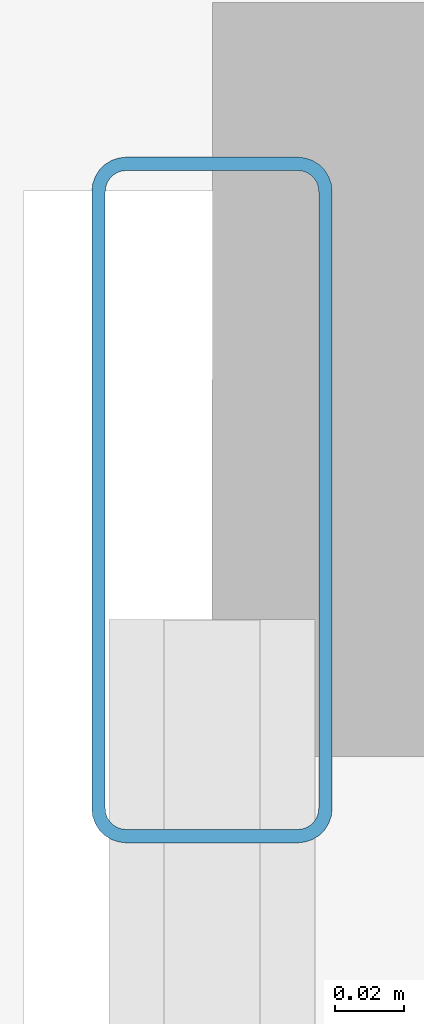
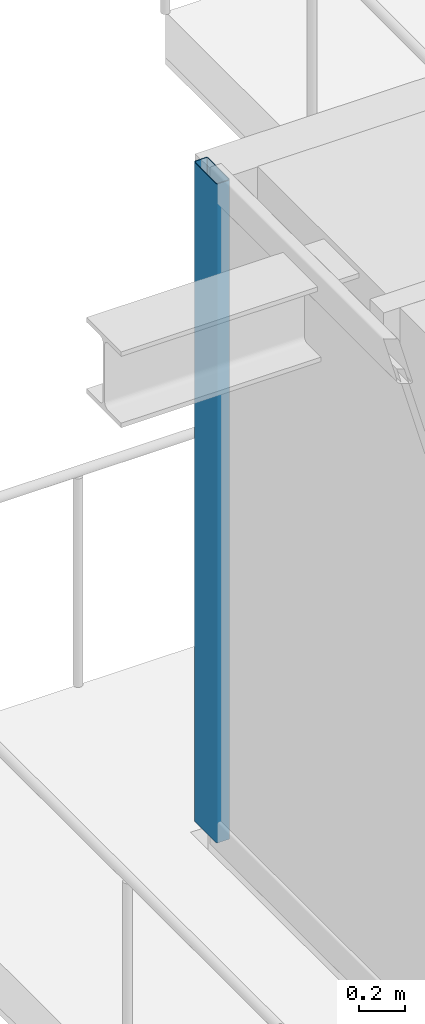
# One storey, part 18 of 39: 1 member, 1 element without a shape of its own.
"""IFC4 building model written with IfcOpenShell, lengths in metres."""

from ifc_helpers import new_model, si_unit, direction, frame, origin, origin_2d, place, context, subcontext, project, spatial, hollow_rectangle, extrude, source, transform, mapped, material, layer, layer_set, material_profile, profile_set, type_object, element, aggregate, save


model = new_model("IFC4")

# Units and contexts
model_context = context("Model", 3, precision=1e-05, world=origin(), true_north=direction((0.0, 1.0)))
body_context = subcontext(model_context, "Body", "Model", "MODEL_VIEW")
ifc_project = project(units=[si_unit("LENGTHUNIT", "METRE"), si_unit("AREAUNIT", "SQUARE_METRE"), si_unit("VOLUMEUNIT", "CUBIC_METRE"), si_unit("PLANEANGLEUNIT", "RADIAN"), si_unit("MASSUNIT", "GRAM", prefix="KILO")], contexts=[model_context])

# Site, building, storey
site_placement = place(None, origin())
site = spatial("IfcSite", under=ifc_project, at=site_placement, CompositionType="ELEMENT")
building_placement = place(site_placement, origin())
building = spatial("IfcBuilding", under=site, at=building_placement, Name="Serunith Strait Residences", CompositionType="ELEMENT")
storey_placement = place(building_placement, frame((0.0, 0.0, 49.199951171875)))
storey = spatial("IfcBuildingStorey", under=building, at=storey_placement, Name="L11", CompositionType="ELEMENT", Elevation=49.199951171875)

# Curtain wall, member
ifc_material = material(Name="Pale-Champagne Anodised Aluminium", Category="aluminium")
ifc_layer = layer(ifc_material, 0.199951171875, Name="Pale-Champagne Anodised Aluminium")
ifc_layer_set = layer_set([ifc_layer], Name="Pale-Champagne Anodised Aluminium")
curtain_wall_type = type_object("IfcCurtainWallType", Name="CW-SYS1", PredefinedType="NOTDEFINED", material=ifc_layer_set)
curtain_wall_placement = place(storey_placement, origin())
curtain_wall = element("IfcCurtainWall", 1, at=curtain_wall_placement, inside=storey, type_object=curtain_wall_type, Name="L11 W Unitised Fritted Curtain Wall", PredefinedType="NOTDEFINED")
ifc_material_profile = material_profile(ifc_material, hollow_rectangle(XDim=0.070068359375, YDim=0.199951171875, WallThickness=0.00390625, InnerFilletRadius=0.006103515625, OuterFilletRadius=0.010009765625, at=origin_2d()), Name="ALU 200x70x4")
ifc_profile_set = profile_set([ifc_material_profile], Name="Pale-Champagne Anodised Aluminium")
member_type = type_object("IfcMemberType", Name="CW-SYS1-MULL", PredefinedType="MULLION", material=ifc_profile_set)
shared_shape = source(origin(), body_context, "Body", "SweptSolid", [
    extrude(hollow_rectangle(XDim=0.070068359375, YDim=0.199951171875, WallThickness=0.00390625, InnerFilletRadius=0.006103515625, OuterFilletRadius=0.010009765625, at=origin_2d()), origin(), (0.0, 0.0, 1.0), 3.47509765625),
])
member_placement = place(storey_placement, frame((6.0, 41.764892578125, 0.0), z_axis=(0.0, 0.0, 1.0), x_axis=(1.0, 0.0, 0.0)))
member = element("IfcMember", 2, at=member_placement, type_object=member_type, Name="CW-1 mullion 1", PredefinedType="MULLION", context=body_context, shape_type="MappedRepresentation", body=[
    mapped(shared_shape, transform((0.0, 0.0, 0.0), scale=1.0)),
])
aggregate(curtain_wall, [member])

save(model, "model.ifc")
